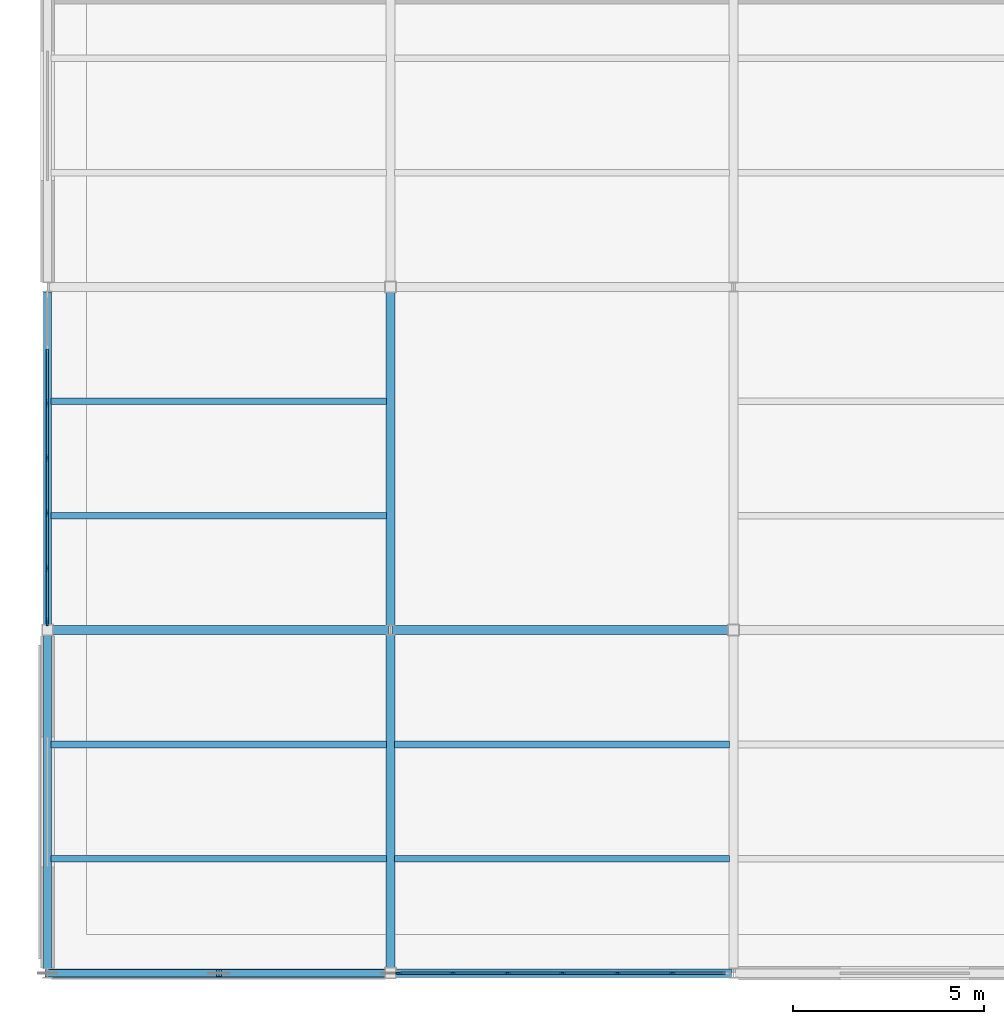
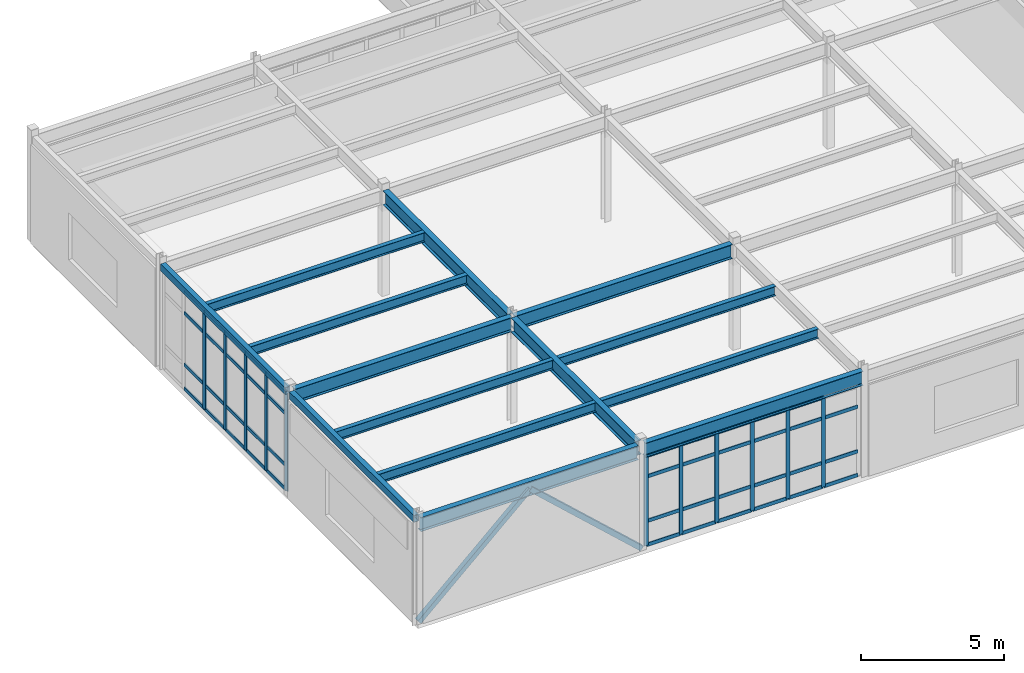
# One storey, part 22 of 84: 56 members, 14 beams, 2 elements without a shape of their own.
"""IFC4 building model written with IfcOpenShell, lengths in metres."""

from ifc_helpers import new_model, si_unit, direction, frame, origin, origin_2d, place, context, subcontext, project, spatial, rectangle, hollow_rectangle, i_section, extrude, material, material_profile, profile_set, type_object, element, aggregate, save


model = new_model("IFC4")

# Units and contexts
model_context = context("Model", 3, precision=1e-05, world=origin(), true_north=direction((0.0, 1.0)))
body_context = subcontext(model_context, "Body", "Model", "MODEL_VIEW")
ifc_project = project(units=[si_unit("LENGTHUNIT", "METRE"), si_unit("AREAUNIT", "SQUARE_METRE"), si_unit("VOLUMEUNIT", "CUBIC_METRE"), si_unit("PLANEANGLEUNIT", "RADIAN"), si_unit("MASSUNIT", "GRAM", prefix="KILO")], contexts=[model_context])

# Site, building, storey
site_placement = place(None, origin())
site = spatial("IfcSite", under=ifc_project, at=site_placement, CompositionType="ELEMENT")
building_placement = place(site_placement, origin())
building = spatial("IfcBuilding", under=site, at=building_placement, Name="Glasvene Arena", CompositionType="ELEMENT")
storey_placement = place(building_placement, frame((0.0, 0.0, 10.199951171875)))
storey = spatial("IfcBuildingStorey", under=building, at=storey_placement, Name="L02", CompositionType="ELEMENT", Elevation=10.199951171875)

# Beams
ifc_material_1 = material(Name="Steel S355J2", Category="steel")
ifc_material_profile_1 = material_profile(ifc_material_1, i_section(OverallWidth=0.228271484375, OverallDepth=0.607666015625, WebThickness=0.010986328125, FlangeThickness=0.017333984375, FilletRadius=0.0126953125, at=origin_2d()), Name="UKB 610x229x113")
ifc_profile_set_1 = profile_set([ifc_material_profile_1], Name="Steel S355J2")
beam_type_1 = type_object("IfcBeamType", Name="BM-GIRD-610", PredefinedType="BEAM", material=ifc_profile_set_1)
for number, where, z_axis, x_axis, name in (
    (1, (0.050048828125, 0.0, 4.21630859375), (1.0, 0.0, 0.0), (0.0, 1.0, 0.0), "Primary X girder L02-0779"),
    (2, (9.14501953125, 0.0, 4.21630859375), (1.0, 0.0, 0.0), (0.0, 1.0, 0.0), "Primary X girder L02-0780"),
    (3, (0.14501953125, 9.0, 4.21630859375), (1.0, 0.0, 0.0), (0.0, 1.0, 0.0), "Primary X girder L02-0785"),
    (4, (9.050048828125, 9.0, 4.21630859375), (1.0, 0.0, 0.0), (0.0, 1.0, 0.0), "Primary X girder L02-0786"),
):
    element("IfcBeam", number, at=place(storey_placement, frame(where, z_axis=z_axis, x_axis=x_axis)), inside=storey, type_object=beam_type_1, Name=name, PredefinedType="BEAM", context=body_context, shape_type="SweptSolid", body=[
        extrude(i_section(OverallWidth=0.228271484375, OverallDepth=0.607666015625, WebThickness=0.010986328125, FlangeThickness=0.017333984375, FilletRadius=0.0126953125, at=origin_2d()), origin(), (0.0, 0.0, 1.0), 8.804931640625),
    ])
for number, where, z_axis, x_axis, name in (
    (5, (9.0, 0.14501953125, 4.21630859375), (0.0, 1.0, 0.0), (-1.0, 0.0, 0.0), "Primary Y girder L02-0839"),
    (6, (9.0, 9.125, 4.21630859375), (0.0, 1.0, 0.0), (-1.0, 0.0, 0.0), "Primary Y girder L02-0840"),
):
    element("IfcBeam", number, at=place(storey_placement, frame(where, z_axis=z_axis, x_axis=x_axis)), inside=storey, type_object=beam_type_1, Name=name, PredefinedType="BEAM", context=body_context, shape_type="SweptSolid", body=[
        extrude(i_section(OverallWidth=0.228271484375, OverallDepth=0.607666015625, WebThickness=0.010986328125, FlangeThickness=0.017333984375, FilletRadius=0.0126953125, at=origin_2d()), origin(), (0.0, 0.0, 1.0), 8.72998046875),
    ])
ifc_material_profile_2 = material_profile(ifc_material_1, i_section(OverallWidth=0.177978515625, OverallDepth=0.406494140625, WebThickness=0.0078125, FlangeThickness=0.0126953125, FilletRadius=0.01025390625, at=origin_2d()), Name="UKB 406x178x60")
ifc_profile_set_2 = profile_set([ifc_material_profile_2], Name="Steel S355J2")
beam_type_2 = type_object("IfcBeamType", Name="BM-JOIST-406", PredefinedType="JOIST", material=ifc_profile_set_2)
for number, where, z_axis, x_axis, name in (
    (7, (0.095947265625, 3.0, 4.31689453125), (1.0, 0.0, 0.0), (0.0, 1.0, 0.0), "Composite floor joist L02-0881"),
    (8, (0.095947265625, 6.0, 4.31689453125), (1.0, 0.0, 0.0), (0.0, 1.0, 0.0), "Composite floor joist L02-0882"),
    (9, (0.095947265625, 12.0, 4.31689453125), (1.0, 0.0, 0.0), (0.0, 1.0, 0.0), "Composite floor joist L02-0883"),
    (10, (0.095947265625, 15.0, 4.31689453125), (1.0, 0.0, 0.0), (0.0, 1.0, 0.0), "Composite floor joist L02-0884"),
):
    element("IfcBeam", number, at=place(storey_placement, frame(where, z_axis=z_axis, x_axis=x_axis)), inside=storey, type_object=beam_type_2, Name=name, PredefinedType="JOIST", context=body_context, shape_type="SweptSolid", body=[
        extrude(i_section(OverallWidth=0.177978515625, OverallDepth=0.406494140625, WebThickness=0.0078125, FlangeThickness=0.0126953125, FilletRadius=0.01025390625, at=origin_2d()), origin(), (0.0, 0.0, 1.0), 8.7939453125),
    ])
for number, where, z_axis, x_axis, name in (
    (11, (9.110107421875, 3.0, 4.31689453125), (1.0, 0.0, 0.0), (0.0, 1.0, 0.0), "Composite floor joist L02-0893"),
    (12, (9.110107421875, 6.0, 4.31689453125), (1.0, 0.0, 0.0), (0.0, 1.0, 0.0), "Composite floor joist L02-0894"),
):
    element("IfcBeam", number, at=place(storey_placement, frame(where, z_axis=z_axis, x_axis=x_axis)), inside=storey, type_object=beam_type_2, Name=name, PredefinedType="JOIST", context=body_context, shape_type="SweptSolid", body=[
        extrude(i_section(OverallWidth=0.177978515625, OverallDepth=0.406494140625, WebThickness=0.0078125, FlangeThickness=0.0126953125, FilletRadius=0.01025390625, at=origin_2d()), origin(), (0.0, 0.0, 1.0), 8.77978515625),
    ])
ifc_material_profile_3 = material_profile(ifc_material_1, hollow_rectangle(XDim=0.199951171875, YDim=0.300048828125, WallThickness=0.012451171875, at=origin_2d()), Name="RHS 300x200x12.5")
ifc_profile_set_3 = profile_set([ifc_material_profile_3], Name="Steel S355J2")
beam_type_3 = type_object("IfcBeamType", Name="BM-SPAND-300", PredefinedType="SPANDREL", material=ifc_profile_set_3)
beam_1_placement = place(storey_placement, frame((0.0, 0.125, 4.3701171875), z_axis=(0.0, 1.0, 0.0), x_axis=(-1.0, 0.0, 0.0)))
element("IfcBeam", 13, at=beam_1_placement, inside=storey, type_object=beam_type_3, Name="Primary Y girder L02-0829", PredefinedType="SPANDREL", context=body_context, shape_type="SweptSolid", body=[
    extrude(hollow_rectangle(XDim=0.199951171875, YDim=0.300048828125, WallThickness=0.012451171875, at=origin_2d()), origin(), (0.0, 0.0, 1.0), 8.72998046875),
])
beam_2_placement = place(storey_placement, frame((0.0, 9.14501953125, 4.3701171875), z_axis=(0.0, 1.0, 0.0), x_axis=(-1.0, 0.0, 0.0)))
element("IfcBeam", 14, at=beam_2_placement, inside=storey, type_object=beam_type_3, Name="Primary Y girder L02-0830", PredefinedType="SPANDREL", context=body_context, shape_type="SweptSolid", body=[
    extrude(hollow_rectangle(XDim=0.199951171875, YDim=0.300048828125, WallThickness=0.012451171875, at=origin_2d()), origin(), (0.0, 0.0, 1.0), 8.729736328125),
])

# Curtain wall, members
ifc_material_2 = material(Name="Low-emissivity laminated double glazing", Category="glass")
curtain_wall_type_1 = type_object("IfcCurtainWallType", Name="CW-FAC-L02-864x385", PredefinedType="USERDEFINED", material=ifc_material_2)
curtain_wall_1_placement = place(storey_placement, frame((17.829833984375, 0.0, 0.0)))
curtain_wall_1 = element("IfcCurtainWall", 15, at=curtain_wall_1_placement, inside=storey, type_object=curtain_wall_type_1, Name="Unitised curtain wall CW-F-L02-150-135-0-73", ObjectType="CURTAIN WALL", PredefinedType="USERDEFINED")
ifc_material_3 = material(Name="Anodised architectural aluminium", Category="aluminium")
ifc_material_profile_4 = material_profile(ifc_material_3, rectangle(XDim=0.050048828125, YDim=0.159912109375, at=origin_2d()), Name="ALU MULLION 50x160")
ifc_profile_set_4 = profile_set([ifc_material_profile_4], Name="Anodised architectural aluminium")
member_type_1 = type_object("IfcMemberType", Name="CW-MUL-150", PredefinedType="MULLION", material=ifc_profile_set_4)
member_1_placement = place(storey_placement, frame((16.39013671875, 0.0, 0.06005859375), z_axis=(0.0, 0.0, 1.0), x_axis=(0.0, -1.0, 0.0)))
member_1 = element("IfcMember", 16, at=member_1_placement, type_object=member_type_1, Name="CW-030 mullion 2", PredefinedType="MULLION", context=body_context, shape_type="SweptSolid", body=[
    extrude(rectangle(XDim=0.050048828125, YDim=0.159912109375, at=origin_2d()), origin(), (0.0, 0.0, 1.0), 3.846923828125),
])
member_2_placement = place(storey_placement, frame((14.950439453125, 0.0, 0.06005859375), z_axis=(0.0, 0.0, 1.0), x_axis=(0.0, -1.0, 0.0)))
member_2 = element("IfcMember", 17, at=member_2_placement, type_object=member_type_1, Name="CW-030 mullion 3", PredefinedType="MULLION", context=body_context, shape_type="SweptSolid", body=[
    extrude(rectangle(XDim=0.050048828125, YDim=0.159912109375, at=origin_2d()), origin(), (0.0, 0.0, 1.0), 3.846923828125),
])
member_3_placement = place(storey_placement, frame((13.510986328125, 0.0, 0.06005859375), z_axis=(0.0, 0.0, 1.0), x_axis=(0.0, -1.0, 0.0)))
member_3 = element("IfcMember", 18, at=member_3_placement, type_object=member_type_1, Name="CW-030 mullion 4", PredefinedType="MULLION", context=body_context, shape_type="SweptSolid", body=[
    extrude(rectangle(XDim=0.050048828125, YDim=0.159912109375, at=origin_2d()), origin(), (0.0, 0.0, 1.0), 3.846923828125),
])
member_4_placement = place(storey_placement, frame((12.0712890625, 0.0, 0.06005859375), z_axis=(0.0, 0.0, 1.0), x_axis=(0.0, -1.0, 0.0)))
member_4 = element("IfcMember", 19, at=member_4_placement, type_object=member_type_1, Name="CW-030 mullion 5", PredefinedType="MULLION", context=body_context, shape_type="SweptSolid", body=[
    extrude(rectangle(XDim=0.050048828125, YDim=0.159912109375, at=origin_2d()), origin(), (0.0, 0.0, 1.0), 3.846923828125),
])
member_5_placement = place(storey_placement, frame((10.631591796875, 0.0, 0.06005859375), z_axis=(0.0, 0.0, 1.0), x_axis=(0.0, -1.0, 0.0)))
member_5 = element("IfcMember", 20, at=member_5_placement, type_object=member_type_1, Name="CW-030 mullion 6", PredefinedType="MULLION", context=body_context, shape_type="SweptSolid", body=[
    extrude(rectangle(XDim=0.050048828125, YDim=0.159912109375, at=origin_2d()), origin(), (0.0, 0.0, 1.0), 3.846923828125),
])
member_6_placement = place(storey_placement, frame((9.217041015625, 0.0, 0.06005859375), z_axis=(0.0, 0.0, 1.0), x_axis=(0.0, -1.0, 0.0)))
member_6 = element("IfcMember", 21, at=member_6_placement, type_object=member_type_1, Name="CW-030 mullion 7", PredefinedType="MULLION", context=body_context, shape_type="SweptSolid", body=[
    extrude(rectangle(XDim=0.050048828125, YDim=0.159912109375, at=origin_2d()), origin(), (0.0, 0.0, 1.0), 3.846923828125),
])

curtain_wall_type_2 = type_object("IfcCurtainWallType", Name="CW-FAC-L02-864x416", PredefinedType="USERDEFINED", material=ifc_material_2)
curtain_wall_2_placement = place(storey_placement, frame((0.0, 9.19189453125, 0.0)))
curtain_wall_2 = element("IfcCurtainWall", 22, at=curtain_wall_2_placement, inside=storey, type_object=curtain_wall_type_2, Name="Unitised curtain wall CW-F-L02-180-0-135-76", ObjectType="CURTAIN WALL", PredefinedType="USERDEFINED")
ifc_material_profile_5 = material_profile(ifc_material_3, rectangle(XDim=0.050048828125, YDim=0.199951171875, at=origin_2d()), Name="ALU MULLION 50x200")
ifc_profile_set_5 = profile_set([ifc_material_profile_5], Name="Anodised architectural aluminium")
member_type_2 = type_object("IfcMemberType", Name="CW-MUL-180", PredefinedType="MULLION", material=ifc_profile_set_5)
member_7_placement = place(storey_placement, frame((0.0, 9.217041015625, 0.06005859375), z_axis=(0.0, 0.0, 1.0), x_axis=(-1.0, 0.0, 0.0)))
member_7 = element("IfcMember", 23, at=member_7_placement, type_object=member_type_2, Name="CW-029 mullion 1", PredefinedType="MULLION", context=body_context, shape_type="SweptSolid", body=[
    extrude(rectangle(XDim=0.050048828125, YDim=0.199951171875, at=origin_2d()), origin(), (0.0, 0.0, 1.0), 4.155029296875),
])
member_8_placement = place(storey_placement, frame((0.0, 10.63134765625, 0.06005859375), z_axis=(0.0, 0.0, 1.0), x_axis=(-1.0, 0.0, 0.0)))
member_8 = element("IfcMember", 24, at=member_8_placement, type_object=member_type_2, Name="CW-029 mullion 2", PredefinedType="MULLION", context=body_context, shape_type="SweptSolid", body=[
    extrude(rectangle(XDim=0.050048828125, YDim=0.199951171875, at=origin_2d()), origin(), (0.0, 0.0, 1.0), 4.155029296875),
])
member_9_placement = place(storey_placement, frame((0.0, 12.070556640625, 0.06005859375), z_axis=(0.0, 0.0, 1.0), x_axis=(-1.0, 0.0, 0.0)))
member_9 = element("IfcMember", 25, at=member_9_placement, type_object=member_type_2, Name="CW-029 mullion 3", PredefinedType="MULLION", context=body_context, shape_type="SweptSolid", body=[
    extrude(rectangle(XDim=0.050048828125, YDim=0.199951171875, at=origin_2d()), origin(), (0.0, 0.0, 1.0), 4.155029296875),
])
member_10_placement = place(storey_placement, frame((0.0, 13.510009765625, 0.06005859375), z_axis=(0.0, 0.0, 1.0), x_axis=(-1.0, 0.0, 0.0)))
member_10 = element("IfcMember", 26, at=member_10_placement, type_object=member_type_2, Name="CW-029 mullion 4", PredefinedType="MULLION", context=body_context, shape_type="SweptSolid", body=[
    extrude(rectangle(XDim=0.050048828125, YDim=0.199951171875, at=origin_2d()), origin(), (0.0, 0.0, 1.0), 4.155029296875),
])
member_11_placement = place(storey_placement, frame((0.0, 14.94921875, 0.06005859375), z_axis=(0.0, 0.0, 1.0), x_axis=(-1.0, 0.0, 0.0)))
member_11 = element("IfcMember", 27, at=member_11_placement, type_object=member_type_2, Name="CW-029 mullion 5", PredefinedType="MULLION", context=body_context, shape_type="SweptSolid", body=[
    extrude(rectangle(XDim=0.050048828125, YDim=0.199951171875, at=origin_2d()), origin(), (0.0, 0.0, 1.0), 4.155029296875),
])

# Member
ifc_material_profile_6 = material_profile(ifc_material_3, rectangle(XDim=0.050048828125, YDim=0.14990234375, at=origin_2d()), Name="ALU TRANSOM 50x150")
ifc_profile_set_6 = profile_set([ifc_material_profile_6], Name="Anodised architectural aluminium")
member_type_3 = type_object("IfcMemberType", Name="CW-TRN-150", PredefinedType="USERDEFINED", material=ifc_profile_set_6)
member_12_placement = place(storey_placement, frame((17.77978515625, 0.0, 0.0849609375), z_axis=(-1.0, 0.0, 0.0), x_axis=(0.0, -1.0, 0.0)))
member_12 = element("IfcMember", 28, at=member_12_placement, type_object=member_type_3, Name="CW-030 transom 1.1", ObjectType="TRANSOM", PredefinedType="USERDEFINED", context=body_context, shape_type="SweptSolid", body=[
    extrude(rectangle(XDim=0.050048828125, YDim=0.14990234375, at=origin_2d()), origin(), (0.0, 0.0, 1.0), 1.364501953125),
])

member_13_placement = place(storey_placement, frame((17.77978515625, 0.0, 1.10009765625), z_axis=(-1.0, 0.0, 0.0), x_axis=(0.0, -1.0, 0.0)))
member_13 = element("IfcMember", 29, at=member_13_placement, type_object=member_type_3, Name="CW-030 transom 1.2", ObjectType="TRANSOM", PredefinedType="USERDEFINED", context=body_context, shape_type="SweptSolid", body=[
    extrude(rectangle(XDim=0.050048828125, YDim=0.14990234375, at=origin_2d()), origin(), (0.0, 0.0, 1.0), 1.364501953125),
])

member_14_placement = place(storey_placement, frame((17.77978515625, 0.0, 3.007080078125), z_axis=(-1.0, 0.0, 0.0), x_axis=(0.0, -1.0, 0.0)))
member_14 = element("IfcMember", 30, at=member_14_placement, type_object=member_type_3, Name="CW-030 transom 1.3", ObjectType="TRANSOM", PredefinedType="USERDEFINED", context=body_context, shape_type="SweptSolid", body=[
    extrude(rectangle(XDim=0.050048828125, YDim=0.14990234375, at=origin_2d()), origin(), (0.0, 0.0, 1.0), 1.364501953125),
])

member_15_placement = place(storey_placement, frame((16.365234375, 0.0, 0.0849609375), z_axis=(-1.0, 0.0, 0.0), x_axis=(0.0, -1.0, 0.0)))
member_15 = element("IfcMember", 31, at=member_15_placement, type_object=member_type_3, Name="CW-030 transom 2.1", ObjectType="TRANSOM", PredefinedType="USERDEFINED", context=body_context, shape_type="SweptSolid", body=[
    extrude(rectangle(XDim=0.050048828125, YDim=0.14990234375, at=origin_2d()), origin(), (0.0, 0.0, 1.0), 1.3896484375),
])

member_16_placement = place(storey_placement, frame((16.365234375, 0.0, 1.10009765625), z_axis=(-1.0, 0.0, 0.0), x_axis=(0.0, -1.0, 0.0)))
member_16 = element("IfcMember", 32, at=member_16_placement, type_object=member_type_3, Name="CW-030 transom 2.2", ObjectType="TRANSOM", PredefinedType="USERDEFINED", context=body_context, shape_type="SweptSolid", body=[
    extrude(rectangle(XDim=0.050048828125, YDim=0.14990234375, at=origin_2d()), origin(), (0.0, 0.0, 1.0), 1.3896484375),
])

member_17_placement = place(storey_placement, frame((16.365234375, 0.0, 3.007080078125), z_axis=(-1.0, 0.0, 0.0), x_axis=(0.0, -1.0, 0.0)))
member_17 = element("IfcMember", 33, at=member_17_placement, type_object=member_type_3, Name="CW-030 transom 2.3", ObjectType="TRANSOM", PredefinedType="USERDEFINED", context=body_context, shape_type="SweptSolid", body=[
    extrude(rectangle(XDim=0.050048828125, YDim=0.14990234375, at=origin_2d()), origin(), (0.0, 0.0, 1.0), 1.3896484375),
])

member_18_placement = place(storey_placement, frame((16.365234375, 0.0, 3.882080078125), z_axis=(-1.0, 0.0, 0.0), x_axis=(0.0, -1.0, 0.0)))
member_18 = element("IfcMember", 34, at=member_18_placement, type_object=member_type_3, Name="CW-030 transom 2.4", ObjectType="TRANSOM", PredefinedType="USERDEFINED", context=body_context, shape_type="SweptSolid", body=[
    extrude(rectangle(XDim=0.050048828125, YDim=0.14990234375, at=origin_2d()), origin(), (0.0, 0.0, 1.0), 1.3896484375),
])

member_19_placement = place(storey_placement, frame((14.925537109375, 0.0, 0.0849609375), z_axis=(-1.0, 0.0, 0.0), x_axis=(0.0, -1.0, 0.0)))
member_19 = element("IfcMember", 35, at=member_19_placement, type_object=member_type_3, Name="CW-030 transom 3.1", ObjectType="TRANSOM", PredefinedType="USERDEFINED", context=body_context, shape_type="SweptSolid", body=[
    extrude(rectangle(XDim=0.050048828125, YDim=0.14990234375, at=origin_2d()), origin(), (0.0, 0.0, 1.0), 1.3896484375),
])

member_20_placement = place(storey_placement, frame((14.925537109375, 0.0, 1.10009765625), z_axis=(-1.0, 0.0, 0.0), x_axis=(0.0, -1.0, 0.0)))
member_20 = element("IfcMember", 36, at=member_20_placement, type_object=member_type_3, Name="CW-030 transom 3.2", ObjectType="TRANSOM", PredefinedType="USERDEFINED", context=body_context, shape_type="SweptSolid", body=[
    extrude(rectangle(XDim=0.050048828125, YDim=0.14990234375, at=origin_2d()), origin(), (0.0, 0.0, 1.0), 1.3896484375),
])

member_21_placement = place(storey_placement, frame((14.925537109375, 0.0, 3.007080078125), z_axis=(-1.0, 0.0, 0.0), x_axis=(0.0, -1.0, 0.0)))
member_21 = element("IfcMember", 37, at=member_21_placement, type_object=member_type_3, Name="CW-030 transom 3.3", ObjectType="TRANSOM", PredefinedType="USERDEFINED", context=body_context, shape_type="SweptSolid", body=[
    extrude(rectangle(XDim=0.050048828125, YDim=0.14990234375, at=origin_2d()), origin(), (0.0, 0.0, 1.0), 1.3896484375),
])

member_22_placement = place(storey_placement, frame((14.925537109375, 0.0, 3.882080078125), z_axis=(-1.0, 0.0, 0.0), x_axis=(0.0, -1.0, 0.0)))
member_22 = element("IfcMember", 38, at=member_22_placement, type_object=member_type_3, Name="CW-030 transom 3.4", ObjectType="TRANSOM", PredefinedType="USERDEFINED", context=body_context, shape_type="SweptSolid", body=[
    extrude(rectangle(XDim=0.050048828125, YDim=0.14990234375, at=origin_2d()), origin(), (0.0, 0.0, 1.0), 1.3896484375),
])

member_23_placement = place(storey_placement, frame((13.48583984375, 0.0, 0.0849609375), z_axis=(-1.0, 0.0, 0.0), x_axis=(0.0, -1.0, 0.0)))
member_23 = element("IfcMember", 39, at=member_23_placement, type_object=member_type_3, Name="CW-030 transom 4.1", ObjectType="TRANSOM", PredefinedType="USERDEFINED", context=body_context, shape_type="SweptSolid", body=[
    extrude(rectangle(XDim=0.050048828125, YDim=0.14990234375, at=origin_2d()), origin(), (0.0, 0.0, 1.0), 1.3896484375),
])

member_24_placement = place(storey_placement, frame((13.48583984375, 0.0, 1.10009765625), z_axis=(-1.0, 0.0, 0.0), x_axis=(0.0, -1.0, 0.0)))
member_24 = element("IfcMember", 40, at=member_24_placement, type_object=member_type_3, Name="CW-030 transom 4.2", ObjectType="TRANSOM", PredefinedType="USERDEFINED", context=body_context, shape_type="SweptSolid", body=[
    extrude(rectangle(XDim=0.050048828125, YDim=0.14990234375, at=origin_2d()), origin(), (0.0, 0.0, 1.0), 1.3896484375),
])

member_25_placement = place(storey_placement, frame((13.48583984375, 0.0, 3.007080078125), z_axis=(-1.0, 0.0, 0.0), x_axis=(0.0, -1.0, 0.0)))
member_25 = element("IfcMember", 41, at=member_25_placement, type_object=member_type_3, Name="CW-030 transom 4.3", ObjectType="TRANSOM", PredefinedType="USERDEFINED", context=body_context, shape_type="SweptSolid", body=[
    extrude(rectangle(XDim=0.050048828125, YDim=0.14990234375, at=origin_2d()), origin(), (0.0, 0.0, 1.0), 1.3896484375),
])

member_26_placement = place(storey_placement, frame((13.48583984375, 0.0, 3.882080078125), z_axis=(-1.0, 0.0, 0.0), x_axis=(0.0, -1.0, 0.0)))
member_26 = element("IfcMember", 42, at=member_26_placement, type_object=member_type_3, Name="CW-030 transom 4.4", ObjectType="TRANSOM", PredefinedType="USERDEFINED", context=body_context, shape_type="SweptSolid", body=[
    extrude(rectangle(XDim=0.050048828125, YDim=0.14990234375, at=origin_2d()), origin(), (0.0, 0.0, 1.0), 1.3896484375),
])

member_27_placement = place(storey_placement, frame((12.04638671875, 0.0, 0.0849609375), z_axis=(-1.0, 0.0, 0.0), x_axis=(0.0, -1.0, 0.0)))
member_27 = element("IfcMember", 43, at=member_27_placement, type_object=member_type_3, Name="CW-030 transom 5.1", ObjectType="TRANSOM", PredefinedType="USERDEFINED", context=body_context, shape_type="SweptSolid", body=[
    extrude(rectangle(XDim=0.050048828125, YDim=0.14990234375, at=origin_2d()), origin(), (0.0, 0.0, 1.0), 1.3896484375),
])

member_28_placement = place(storey_placement, frame((12.04638671875, 0.0, 1.10009765625), z_axis=(-1.0, 0.0, 0.0), x_axis=(0.0, -1.0, 0.0)))
member_28 = element("IfcMember", 44, at=member_28_placement, type_object=member_type_3, Name="CW-030 transom 5.2", ObjectType="TRANSOM", PredefinedType="USERDEFINED", context=body_context, shape_type="SweptSolid", body=[
    extrude(rectangle(XDim=0.050048828125, YDim=0.14990234375, at=origin_2d()), origin(), (0.0, 0.0, 1.0), 1.3896484375),
])

member_29_placement = place(storey_placement, frame((12.04638671875, 0.0, 3.007080078125), z_axis=(-1.0, 0.0, 0.0), x_axis=(0.0, -1.0, 0.0)))
member_29 = element("IfcMember", 45, at=member_29_placement, type_object=member_type_3, Name="CW-030 transom 5.3", ObjectType="TRANSOM", PredefinedType="USERDEFINED", context=body_context, shape_type="SweptSolid", body=[
    extrude(rectangle(XDim=0.050048828125, YDim=0.14990234375, at=origin_2d()), origin(), (0.0, 0.0, 1.0), 1.3896484375),
])

member_30_placement = place(storey_placement, frame((12.04638671875, 0.0, 3.882080078125), z_axis=(-1.0, 0.0, 0.0), x_axis=(0.0, -1.0, 0.0)))
member_30 = element("IfcMember", 46, at=member_30_placement, type_object=member_type_3, Name="CW-030 transom 5.4", ObjectType="TRANSOM", PredefinedType="USERDEFINED", context=body_context, shape_type="SweptSolid", body=[
    extrude(rectangle(XDim=0.050048828125, YDim=0.14990234375, at=origin_2d()), origin(), (0.0, 0.0, 1.0), 1.3896484375),
])

member_31_placement = place(storey_placement, frame((10.606689453125, 0.0, 0.0849609375), z_axis=(-1.0, 0.0, 0.0), x_axis=(0.0, -1.0, 0.0)))
member_31 = element("IfcMember", 47, at=member_31_placement, type_object=member_type_3, Name="CW-030 transom 6.1", ObjectType="TRANSOM", PredefinedType="USERDEFINED", context=body_context, shape_type="SweptSolid", body=[
    extrude(rectangle(XDim=0.050048828125, YDim=0.14990234375, at=origin_2d()), origin(), (0.0, 0.0, 1.0), 1.36474609375),
])

member_32_placement = place(storey_placement, frame((10.606689453125, 0.0, 1.10009765625), z_axis=(-1.0, 0.0, 0.0), x_axis=(0.0, -1.0, 0.0)))
member_32 = element("IfcMember", 48, at=member_32_placement, type_object=member_type_3, Name="CW-030 transom 6.2", ObjectType="TRANSOM", PredefinedType="USERDEFINED", context=body_context, shape_type="SweptSolid", body=[
    extrude(rectangle(XDim=0.050048828125, YDim=0.14990234375, at=origin_2d()), origin(), (0.0, 0.0, 1.0), 1.36474609375),
])

member_33_placement = place(storey_placement, frame((10.606689453125, 0.0, 3.007080078125), z_axis=(-1.0, 0.0, 0.0), x_axis=(0.0, -1.0, 0.0)))
member_33 = element("IfcMember", 49, at=member_33_placement, type_object=member_type_3, Name="CW-030 transom 6.3", ObjectType="TRANSOM", PredefinedType="USERDEFINED", context=body_context, shape_type="SweptSolid", body=[
    extrude(rectangle(XDim=0.050048828125, YDim=0.14990234375, at=origin_2d()), origin(), (0.0, 0.0, 1.0), 1.36474609375),
])

member_34_placement = place(storey_placement, frame((10.606689453125, 0.0, 3.882080078125), z_axis=(-1.0, 0.0, 0.0), x_axis=(0.0, -1.0, 0.0)))
member_34 = element("IfcMember", 50, at=member_34_placement, type_object=member_type_3, Name="CW-030 transom 6.4", ObjectType="TRANSOM", PredefinedType="USERDEFINED", context=body_context, shape_type="SweptSolid", body=[
    extrude(rectangle(XDim=0.050048828125, YDim=0.14990234375, at=origin_2d()), origin(), (0.0, 0.0, 1.0), 1.36474609375),
])

aggregate(curtain_wall_1, [member_1, member_2, member_3, member_4, member_5, member_6, member_12, member_13, member_14, member_15, member_16, member_17, member_18, member_19, member_20, member_21, member_22, member_23, member_24, member_25, member_26, member_27, member_28, member_29, member_30, member_31, member_32, member_33, member_34])

member_35_placement = place(storey_placement, frame((0.0, 9.241943359375, 0.0849609375), z_axis=(0.0, 1.0, 0.0), x_axis=(-1.0, 0.0, 0.0)))
member_35 = element("IfcMember", 51, at=member_35_placement, type_object=member_type_3, Name="CW-029 transom 1.1", ObjectType="TRANSOM", PredefinedType="USERDEFINED", context=body_context, shape_type="SweptSolid", body=[
    extrude(rectangle(XDim=0.050048828125, YDim=0.14990234375, at=origin_2d()), origin(), (0.0, 0.0, 1.0), 1.3642578125),
])

member_36_placement = place(storey_placement, frame((0.0, 9.241943359375, 1.10009765625), z_axis=(0.0, 1.0, 0.0), x_axis=(-1.0, 0.0, 0.0)))
member_36 = element("IfcMember", 52, at=member_36_placement, type_object=member_type_3, Name="CW-029 transom 1.2", ObjectType="TRANSOM", PredefinedType="USERDEFINED", context=body_context, shape_type="SweptSolid", body=[
    extrude(rectangle(XDim=0.050048828125, YDim=0.14990234375, at=origin_2d()), origin(), (0.0, 0.0, 1.0), 1.3642578125),
])

member_37_placement = place(storey_placement, frame((0.0, 9.241943359375, 3.31494140625), z_axis=(0.0, 1.0, 0.0), x_axis=(-1.0, 0.0, 0.0)))
member_37 = element("IfcMember", 53, at=member_37_placement, type_object=member_type_3, Name="CW-029 transom 1.3", ObjectType="TRANSOM", PredefinedType="USERDEFINED", context=body_context, shape_type="SweptSolid", body=[
    extrude(rectangle(XDim=0.050048828125, YDim=0.14990234375, at=origin_2d()), origin(), (0.0, 0.0, 1.0), 1.3642578125),
])

member_38_placement = place(storey_placement, frame((0.0, 9.241943359375, 4.18994140625), z_axis=(0.0, 1.0, 0.0), x_axis=(-1.0, 0.0, 0.0)))
member_38 = element("IfcMember", 54, at=member_38_placement, type_object=member_type_3, Name="CW-029 transom 1.4", ObjectType="TRANSOM", PredefinedType="USERDEFINED", context=body_context, shape_type="SweptSolid", body=[
    extrude(rectangle(XDim=0.050048828125, YDim=0.14990234375, at=origin_2d()), origin(), (0.0, 0.0, 1.0), 1.3642578125),
])

member_39_placement = place(storey_placement, frame((0.0, 10.65625, 0.0849609375), z_axis=(0.0, 1.0, 0.0), x_axis=(-1.0, 0.0, 0.0)))
member_39 = element("IfcMember", 55, at=member_39_placement, type_object=member_type_3, Name="CW-029 transom 2.1", ObjectType="TRANSOM", PredefinedType="USERDEFINED", context=body_context, shape_type="SweptSolid", body=[
    extrude(rectangle(XDim=0.050048828125, YDim=0.14990234375, at=origin_2d()), origin(), (0.0, 0.0, 1.0), 1.389404296875),
])

member_40_placement = place(storey_placement, frame((0.0, 10.65625, 1.10009765625), z_axis=(0.0, 1.0, 0.0), x_axis=(-1.0, 0.0, 0.0)))
member_40 = element("IfcMember", 56, at=member_40_placement, type_object=member_type_3, Name="CW-029 transom 2.2", ObjectType="TRANSOM", PredefinedType="USERDEFINED", context=body_context, shape_type="SweptSolid", body=[
    extrude(rectangle(XDim=0.050048828125, YDim=0.14990234375, at=origin_2d()), origin(), (0.0, 0.0, 1.0), 1.389404296875),
])

member_41_placement = place(storey_placement, frame((0.0, 10.65625, 3.31494140625), z_axis=(0.0, 1.0, 0.0), x_axis=(-1.0, 0.0, 0.0)))
member_41 = element("IfcMember", 57, at=member_41_placement, type_object=member_type_3, Name="CW-029 transom 2.3", ObjectType="TRANSOM", PredefinedType="USERDEFINED", context=body_context, shape_type="SweptSolid", body=[
    extrude(rectangle(XDim=0.050048828125, YDim=0.14990234375, at=origin_2d()), origin(), (0.0, 0.0, 1.0), 1.389404296875),
])

member_42_placement = place(storey_placement, frame((0.0, 10.65625, 4.18994140625), z_axis=(0.0, 1.0, 0.0), x_axis=(-1.0, 0.0, 0.0)))
member_42 = element("IfcMember", 58, at=member_42_placement, type_object=member_type_3, Name="CW-029 transom 2.4", ObjectType="TRANSOM", PredefinedType="USERDEFINED", context=body_context, shape_type="SweptSolid", body=[
    extrude(rectangle(XDim=0.050048828125, YDim=0.14990234375, at=origin_2d()), origin(), (0.0, 0.0, 1.0), 1.389404296875),
])

member_43_placement = place(storey_placement, frame((0.0, 12.095703125, 0.0849609375), z_axis=(0.0, 1.0, 0.0), x_axis=(-1.0, 0.0, 0.0)))
member_43 = element("IfcMember", 59, at=member_43_placement, type_object=member_type_3, Name="CW-029 transom 3.1", ObjectType="TRANSOM", PredefinedType="USERDEFINED", context=body_context, shape_type="SweptSolid", body=[
    extrude(rectangle(XDim=0.050048828125, YDim=0.14990234375, at=origin_2d()), origin(), (0.0, 0.0, 1.0), 1.38916015625),
])

member_44_placement = place(storey_placement, frame((0.0, 12.095703125, 1.10009765625), z_axis=(0.0, 1.0, 0.0), x_axis=(-1.0, 0.0, 0.0)))
member_44 = element("IfcMember", 60, at=member_44_placement, type_object=member_type_3, Name="CW-029 transom 3.2", ObjectType="TRANSOM", PredefinedType="USERDEFINED", context=body_context, shape_type="SweptSolid", body=[
    extrude(rectangle(XDim=0.050048828125, YDim=0.14990234375, at=origin_2d()), origin(), (0.0, 0.0, 1.0), 1.38916015625),
])

member_45_placement = place(storey_placement, frame((0.0, 12.095703125, 3.31494140625), z_axis=(0.0, 1.0, 0.0), x_axis=(-1.0, 0.0, 0.0)))
member_45 = element("IfcMember", 61, at=member_45_placement, type_object=member_type_3, Name="CW-029 transom 3.3", ObjectType="TRANSOM", PredefinedType="USERDEFINED", context=body_context, shape_type="SweptSolid", body=[
    extrude(rectangle(XDim=0.050048828125, YDim=0.14990234375, at=origin_2d()), origin(), (0.0, 0.0, 1.0), 1.38916015625),
])

member_46_placement = place(storey_placement, frame((0.0, 12.095703125, 4.18994140625), z_axis=(0.0, 1.0, 0.0), x_axis=(-1.0, 0.0, 0.0)))
member_46 = element("IfcMember", 62, at=member_46_placement, type_object=member_type_3, Name="CW-029 transom 3.4", ObjectType="TRANSOM", PredefinedType="USERDEFINED", context=body_context, shape_type="SweptSolid", body=[
    extrude(rectangle(XDim=0.050048828125, YDim=0.14990234375, at=origin_2d()), origin(), (0.0, 0.0, 1.0), 1.38916015625),
])

member_47_placement = place(storey_placement, frame((0.0, 13.534912109375, 0.0849609375), z_axis=(0.0, 1.0, 0.0), x_axis=(-1.0, 0.0, 0.0)))
member_47 = element("IfcMember", 63, at=member_47_placement, type_object=member_type_3, Name="CW-029 transom 4.1", ObjectType="TRANSOM", PredefinedType="USERDEFINED", context=body_context, shape_type="SweptSolid", body=[
    extrude(rectangle(XDim=0.050048828125, YDim=0.14990234375, at=origin_2d()), origin(), (0.0, 0.0, 1.0), 1.389404296875),
])

member_48_placement = place(storey_placement, frame((0.0, 13.534912109375, 1.10009765625), z_axis=(0.0, 1.0, 0.0), x_axis=(-1.0, 0.0, 0.0)))
member_48 = element("IfcMember", 64, at=member_48_placement, type_object=member_type_3, Name="CW-029 transom 4.2", ObjectType="TRANSOM", PredefinedType="USERDEFINED", context=body_context, shape_type="SweptSolid", body=[
    extrude(rectangle(XDim=0.050048828125, YDim=0.14990234375, at=origin_2d()), origin(), (0.0, 0.0, 1.0), 1.389404296875),
])

member_49_placement = place(storey_placement, frame((0.0, 13.534912109375, 3.31494140625), z_axis=(0.0, 1.0, 0.0), x_axis=(-1.0, 0.0, 0.0)))
member_49 = element("IfcMember", 65, at=member_49_placement, type_object=member_type_3, Name="CW-029 transom 4.3", ObjectType="TRANSOM", PredefinedType="USERDEFINED", context=body_context, shape_type="SweptSolid", body=[
    extrude(rectangle(XDim=0.050048828125, YDim=0.14990234375, at=origin_2d()), origin(), (0.0, 0.0, 1.0), 1.389404296875),
])

member_50_placement = place(storey_placement, frame((0.0, 13.534912109375, 4.18994140625), z_axis=(0.0, 1.0, 0.0), x_axis=(-1.0, 0.0, 0.0)))
member_50 = element("IfcMember", 66, at=member_50_placement, type_object=member_type_3, Name="CW-029 transom 4.4", ObjectType="TRANSOM", PredefinedType="USERDEFINED", context=body_context, shape_type="SweptSolid", body=[
    extrude(rectangle(XDim=0.050048828125, YDim=0.14990234375, at=origin_2d()), origin(), (0.0, 0.0, 1.0), 1.389404296875),
])

member_51_placement = place(storey_placement, frame((0.0, 14.974365234375, 0.0849609375), z_axis=(0.0, 1.0, 0.0), x_axis=(-1.0, 0.0, 0.0)))
member_51 = element("IfcMember", 67, at=member_51_placement, type_object=member_type_3, Name="CW-029 transom 5.1", ObjectType="TRANSOM", PredefinedType="USERDEFINED", context=body_context, shape_type="SweptSolid", body=[
    extrude(rectangle(XDim=0.050048828125, YDim=0.14990234375, at=origin_2d()), origin(), (0.0, 0.0, 1.0), 1.38916015625),
])

member_52_placement = place(storey_placement, frame((0.0, 14.974365234375, 1.10009765625), z_axis=(0.0, 1.0, 0.0), x_axis=(-1.0, 0.0, 0.0)))
member_52 = element("IfcMember", 68, at=member_52_placement, type_object=member_type_3, Name="CW-029 transom 5.2", ObjectType="TRANSOM", PredefinedType="USERDEFINED", context=body_context, shape_type="SweptSolid", body=[
    extrude(rectangle(XDim=0.050048828125, YDim=0.14990234375, at=origin_2d()), origin(), (0.0, 0.0, 1.0), 1.38916015625),
])

member_53_placement = place(storey_placement, frame((0.0, 14.974365234375, 3.31494140625), z_axis=(0.0, 1.0, 0.0), x_axis=(-1.0, 0.0, 0.0)))
member_53 = element("IfcMember", 69, at=member_53_placement, type_object=member_type_3, Name="CW-029 transom 5.3", ObjectType="TRANSOM", PredefinedType="USERDEFINED", context=body_context, shape_type="SweptSolid", body=[
    extrude(rectangle(XDim=0.050048828125, YDim=0.14990234375, at=origin_2d()), origin(), (0.0, 0.0, 1.0), 1.38916015625),
])

member_54_placement = place(storey_placement, frame((0.0, 14.974365234375, 4.18994140625), z_axis=(0.0, 1.0, 0.0), x_axis=(-1.0, 0.0, 0.0)))
member_54 = element("IfcMember", 70, at=member_54_placement, type_object=member_type_3, Name="CW-029 transom 5.4", ObjectType="TRANSOM", PredefinedType="USERDEFINED", context=body_context, shape_type="SweptSolid", body=[
    extrude(rectangle(XDim=0.050048828125, YDim=0.14990234375, at=origin_2d()), origin(), (0.0, 0.0, 1.0), 1.38916015625),
])

aggregate(curtain_wall_2, [member_7, member_8, member_9, member_10, member_11, member_35, member_36, member_37, member_38, member_39, member_40, member_41, member_42, member_43, member_44, member_45, member_46, member_47, member_48, member_49, member_50, member_51, member_52, member_53, member_54])

# Members
ifc_material_profile_7 = material_profile(ifc_material_1, hollow_rectangle(XDim=0.199951171875, YDim=0.199951171875, WallThickness=0.010009765625, at=origin_2d()), Name="SHS 200x200x10.0")
ifc_profile_set_7 = profile_set([ifc_material_profile_7], Name="Steel S355J2")
member_type_4 = type_object("IfcMemberType", Name="MB-BRACE-SHS200", PredefinedType="BRACE", material=ifc_profile_set_7)
for number, where, z_axis, x_axis, name in (
    (71, (0.0, 0.0, 0.050048828125), (0.737552649854, 0.0, 0.675289633189), (0.0, 1.0, 0.0), "Perimeter lateral chevron brace L02-041-A"),
    (72, (9.0, 0.0, 0.050048828125), (-0.737552649854, 0.0, 0.675289633189), (0.0, -1.0, 0.0), "Perimeter lateral chevron brace L02-042-B"),
):
    element("IfcMember", number, at=place(storey_placement, frame(where, z_axis=z_axis, x_axis=x_axis)), inside=storey, type_object=member_type_4, Name=name, PredefinedType="BRACE", context=body_context, shape_type="SweptSolid", body=[
        extrude(hollow_rectangle(XDim=0.199951171875, YDim=0.199951171875, WallThickness=0.010009765625, at=origin_2d()), origin(), (0.0, 0.0, 1.0), 6.101318359375),
    ])

save(model, "model.ifc")
